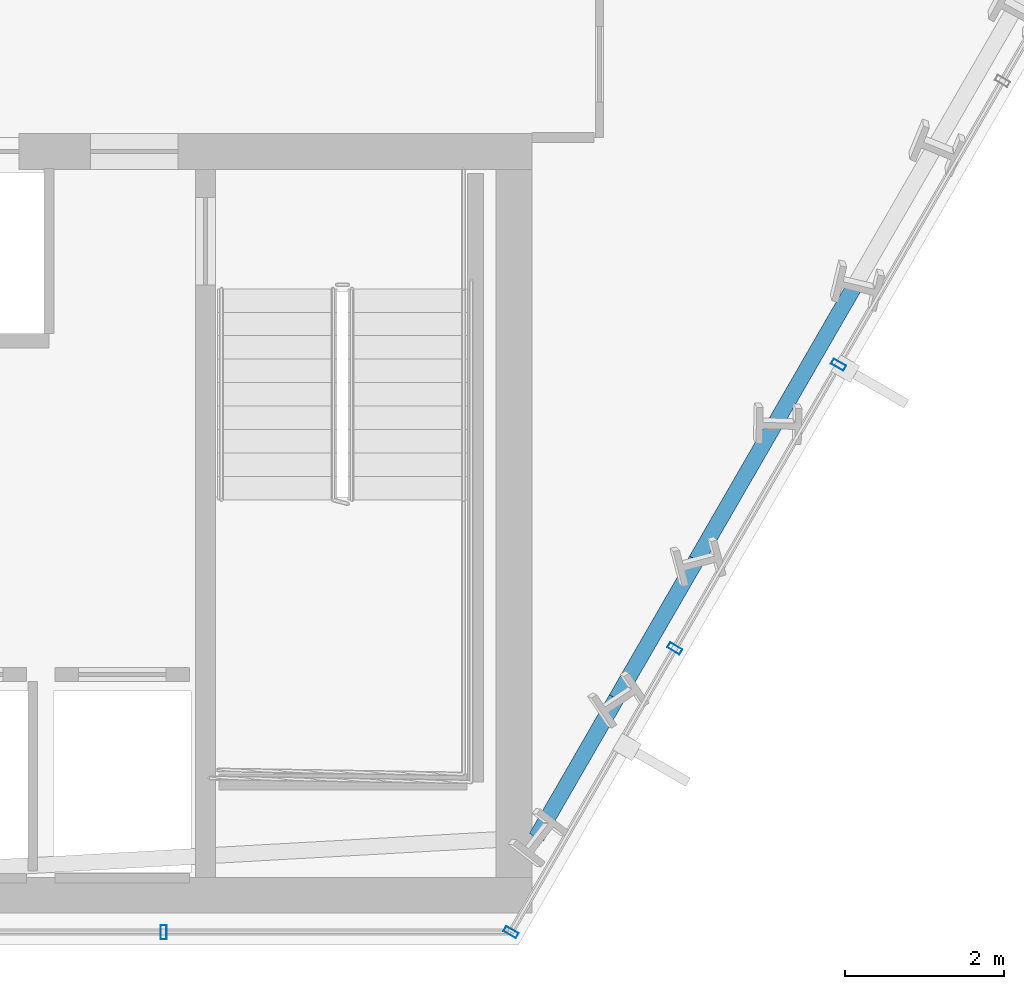
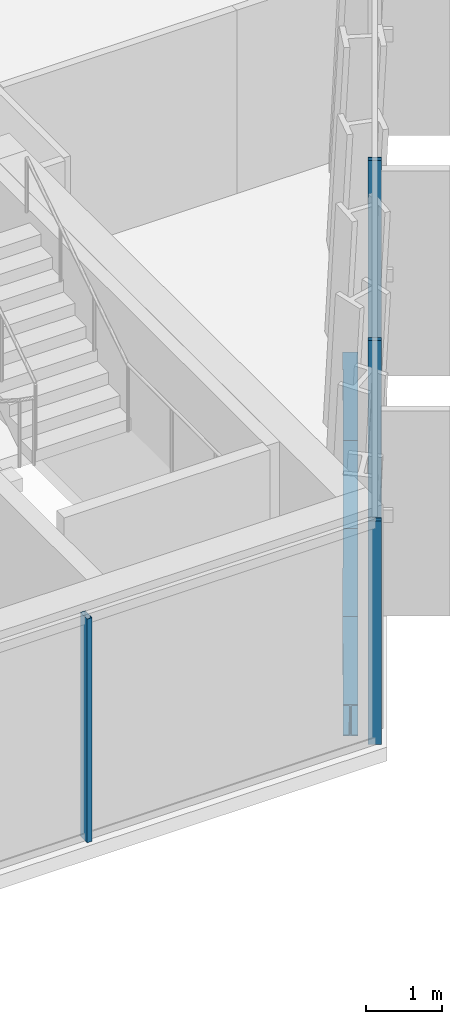
# One storey, part 14 of 33: 4 beams, 4 members, 2 elements without a shape of their own.
"""IFC4 building model written with IfcOpenShell, lengths in metres."""

from ifc_helpers import new_model, si_unit, direction, frame, origin, origin_2d, place, context, subcontext, project, spatial, hollow_rectangle, i_section, extrude, material, layer, layer_set, material_profile, profile_set, type_object, element, aggregate, save


model = new_model("IFC4")

# Units and contexts
model_context = context("Model", 3, precision=1e-05, world=origin(), true_north=direction((0.0, 1.0)))
body_context = subcontext(model_context, "Body", "Model", "MODEL_VIEW")
ifc_project = project(units=[si_unit("LENGTHUNIT", "METRE"), si_unit("AREAUNIT", "SQUARE_METRE"), si_unit("VOLUMEUNIT", "CUBIC_METRE"), si_unit("PLANEANGLEUNIT", "RADIAN"), si_unit("MASSUNIT", "GRAM", prefix="KILO")], contexts=[model_context])

# Site, building, storey
site_placement = place(None, origin())
site = spatial("IfcSite", under=ifc_project, at=site_placement, CompositionType="ELEMENT")
building_placement = place(site_placement, origin())
building = spatial("IfcBuilding", under=site, at=building_placement, Name="Ndaravel Arena Tower", CompositionType="ELEMENT")
storey_placement = place(building_placement, frame((0.0, 0.0, 43.60009765625)))
storey = spatial("IfcBuildingStorey", under=building, at=storey_placement, Name="L08", CompositionType="ELEMENT", Elevation=43.60009765625)

# Beams
ifc_material_1 = material(Name="Steel S355", Category="steel")
ifc_material_profile_1 = material_profile(ifc_material_1, i_section(OverallWidth=0.199951171875, OverallDepth=0.5, WebThickness=0.01025390625, FlangeThickness=0.01611328125, FilletRadius=0.02099609375, at=origin_2d()), Name="IPE 500")
ifc_profile_set_1 = profile_set([ifc_material_profile_1], Name="Steel S355")
beam_type = type_object("IfcBeamType", Name="BM-SPAN-IPE500", PredefinedType="SPANDREL", material=ifc_profile_set_1)
beam_1_placement = place(storey_placement, frame((57.60693359375, 6.351806640625, -0.47021484375), z_axis=(0.499907881037, 0.86607858216, 0.0), x_axis=(-0.86607858216, 0.499907881037, 0.0)))
element("IfcBeam", 1, at=beam_1_placement, inside=storey, type_object=beam_type, Name="L08 Perimeter Spandrel Beam SP-02", PredefinedType="SPANDREL", context=body_context, shape_type="SweptSolid", body=[
    extrude(i_section(OverallWidth=0.199951171875, OverallDepth=0.5, WebThickness=0.01025390625, FlangeThickness=0.01611328125, FilletRadius=0.02099609375, at=origin_2d()), origin(), (0.0, 0.0, 1.0), 2.013671875),
])
for number, where, z_axis, x_axis, name in (
    (2, (58.613525390625, 8.095703125, -0.47021484375), (0.500051323872, 0.865995769906, 0.0), (-0.865995769906, 0.500051323872, 0.0), "L08 Perimeter Spandrel Beam SP-03"),
    (3, (59.620361328125, 9.83935546875, -0.47021484375), (0.500051323872, 0.865995769906, 0.0), (-0.865995769906, 0.500051323872, 0.0), "L08 Perimeter Spandrel Beam SP-04"),
):
    element("IfcBeam", number, at=place(storey_placement, frame(where, z_axis=z_axis, x_axis=x_axis)), inside=storey, type_object=beam_type, Name=name, PredefinedType="SPANDREL", context=body_context, shape_type="SweptSolid", body=[
        extrude(i_section(OverallWidth=0.199951171875, OverallDepth=0.5, WebThickness=0.01025390625, FlangeThickness=0.01611328125, FilletRadius=0.02099609375, at=origin_2d()), origin(), (0.0, 0.0, 1.0), 2.013427734375),
    ])
beam_2_placement = place(storey_placement, frame((60.627197265625, 11.5830078125, -0.47021484375), z_axis=(0.499907881037, 0.86607858216, 0.0), x_axis=(-0.86607858216, 0.499907881037, 0.0)))
element("IfcBeam", 4, at=beam_2_placement, inside=storey, type_object=beam_type, Name="L08 Perimeter Spandrel Beam SP-05", PredefinedType="SPANDREL", context=body_context, shape_type="SweptSolid", body=[
    extrude(i_section(OverallWidth=0.199951171875, OverallDepth=0.5, WebThickness=0.01025390625, FlangeThickness=0.01611328125, FilletRadius=0.02099609375, at=origin_2d()), origin(), (0.0, 0.0, 1.0), 2.013671875),
])

# Curtain wall, member
ifc_material_2 = material(Name="Aluminium", Category="aluminium")
ifc_layer_1 = layer(ifc_material_2, 0.179931640625)
ifc_layer_set_1 = layer_set([ifc_layer_1], Name="Aluminium")
curtain_wall_type_1 = type_object("IfcCurtainWallType", Name="CW-SYS-03", PredefinedType="NOTDEFINED", material=ifc_layer_set_1)
curtain_wall_1_placement = place(storey_placement, origin())
curtain_wall_1 = element("IfcCurtainWall", 5, at=curtain_wall_1_placement, inside=storey, type_object=curtain_wall_type_1, Name="L08 Faceted Crystal Curtain Wall CW-L08-E01", PredefinedType="NOTDEFINED")
ifc_material_3 = material(Name="Aluminium", Category="aluminium")
ifc_material_profile_2 = material_profile(ifc_material_3, hollow_rectangle(XDim=0.074951171875, YDim=0.179931640625, WallThickness=0.00390625, at=origin_2d()), Name="CW MULLION 75x180x4")
ifc_profile_set_2 = profile_set([ifc_material_profile_2], Name="Aluminium")
member_type = type_object("IfcMemberType", Name="MEM-CW-MUL180", PredefinedType="MULLION", material=ifc_profile_set_2)
member_1_placement = place(storey_placement, frame((52.920166015625, 5.159912109375, 0.0), z_axis=(0.0, 0.0, 1.0), x_axis=(1.0, 0.0, 0.0)))
member_1 = element("IfcMember", 6, at=member_1_placement, type_object=member_type, Name="CW-L08-E01 Mullion 06", PredefinedType="MULLION", context=body_context, shape_type="SweptSolid", body=[
    extrude(hollow_rectangle(XDim=0.074951171875, YDim=0.179931640625, WallThickness=0.00390625, at=origin_2d()), origin(), (0.0, 0.0, 1.0), 3.579833984375),
])
aggregate(curtain_wall_1, [member_1])

# Curtain wall, members
ifc_material_4 = material(Name="Aluminium", Category="aluminium")
ifc_layer_2 = layer(ifc_material_4, 0.179931640625)
ifc_layer_set_2 = layer_set([ifc_layer_2], Name="Aluminium")
curtain_wall_type_2 = type_object("IfcCurtainWallType", Name="CW-SYS-01", PredefinedType="NOTDEFINED", material=ifc_layer_set_2)
curtain_wall_2_placement = place(storey_placement, origin())
curtain_wall_2 = element("IfcCurtainWall", 7, at=curtain_wall_2_placement, inside=storey, type_object=curtain_wall_type_2, Name="L08 Faceted Crystal Curtain Wall CW-L08-E02", PredefinedType="NOTDEFINED")
member_2_placement = place(storey_placement, frame((57.2880859375, 5.159912109375, 0.0), z_axis=(0.0, 0.0, 1.0), x_axis=(0.5, 0.866025403784, 0.0)))
member_2 = element("IfcMember", 8, at=member_2_placement, type_object=member_type, Name="CW-L08-E02 Mullion 00", PredefinedType="MULLION", context=body_context, shape_type="SweptSolid", body=[
    extrude(hollow_rectangle(XDim=0.074951171875, YDim=0.179931640625, WallThickness=0.00390625, at=origin_2d()), origin(), (0.0, 0.0, 1.0), 3.579833984375),
])
member_3_placement = place(storey_placement, frame((59.347900390625, 8.7275390625, 0.0), z_axis=(0.0, 0.0, 1.0), x_axis=(0.5, 0.866025403784, 0.0)))
member_3 = element("IfcMember", 9, at=member_3_placement, type_object=member_type, Name="CW-L08-E02 Mullion 01", PredefinedType="MULLION", context=body_context, shape_type="SweptSolid", body=[
    extrude(hollow_rectangle(XDim=0.074951171875, YDim=0.179931640625, WallThickness=0.00390625, at=origin_2d()), origin(), (0.0, 0.0, 1.0), 3.579833984375),
])
member_4_placement = place(storey_placement, frame((61.40771484375, 12.294921875, 0.0), z_axis=(0.0, 0.0, 1.0), x_axis=(0.5, 0.866025403784, 0.0)))
member_4 = element("IfcMember", 10, at=member_4_placement, type_object=member_type, Name="CW-L08-E02 Mullion 02", PredefinedType="MULLION", context=body_context, shape_type="SweptSolid", body=[
    extrude(hollow_rectangle(XDim=0.074951171875, YDim=0.179931640625, WallThickness=0.00390625, at=origin_2d()), origin(), (0.0, 0.0, 1.0), 3.579833984375),
])
aggregate(curtain_wall_2, [member_2, member_3, member_4])

save(model, "model.ifc")
